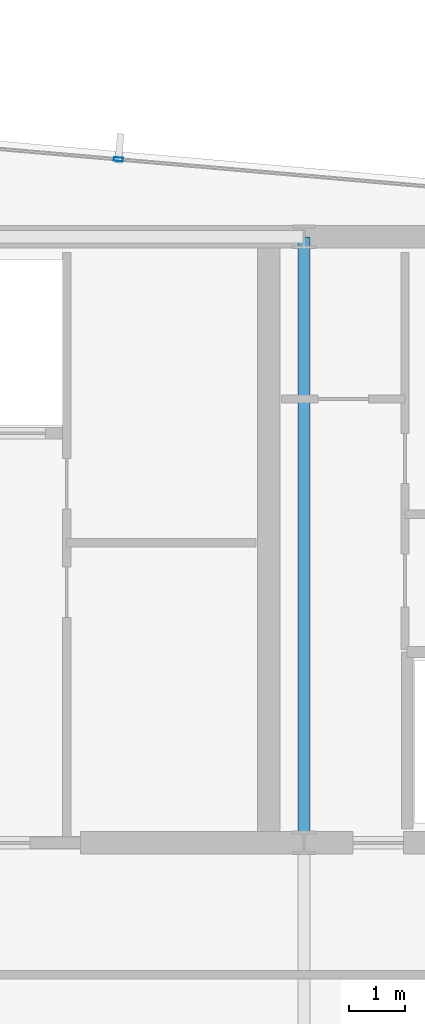
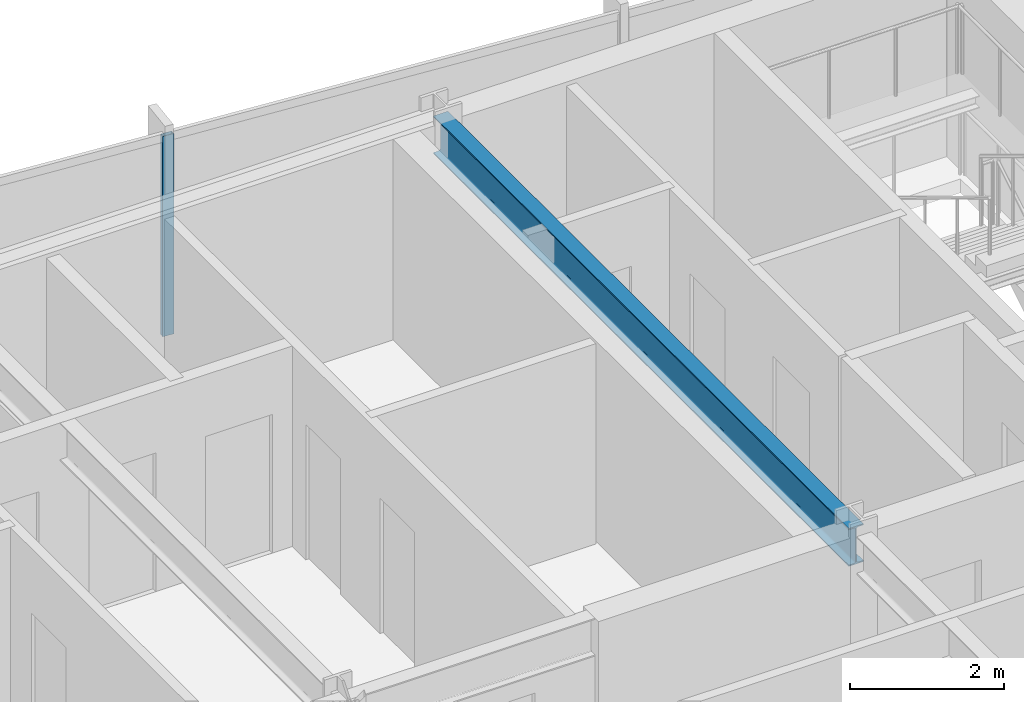
# One storey, part 19 of 32: 1 beam, 1 member, 1 element without a shape of its own.
"""IFC4 building model written with IfcOpenShell, lengths in metres."""

from ifc_helpers import new_model, si_unit, direction, frame, origin, origin_2d, place, context, subcontext, project, spatial, hollow_rectangle, i_section, extrude, material, material_profile, profile_set, type_object, element, aggregate, save


model = new_model("IFC4")

# Units and contexts
model_context = context("Model", 3, precision=1e-05, world=origin(), true_north=direction((0.0, 1.0)))
body_context = subcontext(model_context, "Body", "Model", "MODEL_VIEW")
ifc_project = project(units=[si_unit("LENGTHUNIT", "METRE"), si_unit("AREAUNIT", "SQUARE_METRE"), si_unit("VOLUMEUNIT", "CUBIC_METRE"), si_unit("PLANEANGLEUNIT", "RADIAN"), si_unit("MASSUNIT", "GRAM", prefix="KILO")], contexts=[model_context])

# Site, building, storey
site_placement = place(None, origin())
site = spatial("IfcSite", under=ifc_project, at=site_placement, CompositionType="ELEMENT")
building_placement = place(site_placement, origin())
building = spatial("IfcBuilding", under=site, at=building_placement, Name="Yelkora Congress Tower", CompositionType="ELEMENT")
storey_placement = place(building_placement, frame((0.0, 0.0, 262.5)))
storey = spatial("IfcBuildingStorey", under=building, at=storey_placement, Name="L73", CompositionType="ELEMENT", Elevation=262.5)

# Beam
ifc_material_1 = material(Name="Steel S355J2", Category="steel")
ifc_material_profile_1 = material_profile(ifc_material_1, i_section(OverallWidth=0.219970703125, OverallDepth=0.60009765625, WebThickness=0.011962890625, FlangeThickness=0.01904296875, FilletRadius=0.02392578125, at=origin_2d()), Name="IPE 600")
ifc_profile_set_1 = profile_set([ifc_material_profile_1], Name="Steel S355J2")
beam_type = type_object("IfcBeamType", Name="BM-GIRD-IPE600", PredefinedType="BEAM", material=ifc_profile_set_1)
beam_placement = place(storey_placement, frame((46.080078125, 35.39990234375, 2.8798828125), z_axis=(0.0, 1.0, 0.0), x_axis=(-1.0, 0.0, 0.0)))
element("IfcBeam", 1, at=beam_placement, inside=storey, type_object=beam_type, Name="L73 Core Tie Girder MC-S4", PredefinedType="BEAM", context=body_context, shape_type="SweptSolid", body=[
    extrude(i_section(OverallWidth=0.219970703125, OverallDepth=0.60009765625, WebThickness=0.011962890625, FlangeThickness=0.01904296875, FilletRadius=0.02392578125, at=origin_2d()), origin(), (0.0, 0.0, 1.0), 10.800048828125),
])

# Curtain wall, member
ifc_material_2 = material(Name="Anodised aluminium and insulated glass", Category="aluminium")
curtain_wall_type = type_object("IfcCurtainWallType", Name="CW-SYS-B5", PredefinedType="NOTDEFINED", material=ifc_material_2)
curtain_wall_placement = place(storey_placement, origin())
curtain_wall = element("IfcCurtainWall", 2, at=curtain_wall_placement, inside=storey, type_object=curtain_wall_type, Name="L73 Unitised Curtain Wall 10", PredefinedType="NOTDEFINED")
ifc_material_3 = material(Name="Anodised aluminium 6063-T6", Category="aluminium")
ifc_material_profile_2 = material_profile(ifc_material_3, hollow_rectangle(XDim=0.06494140625, YDim=0.159912109375, WallThickness=0.00390625, at=origin_2d()), Name="ALU 65x160x4")
ifc_profile_set_2 = profile_set([ifc_material_profile_2], Name="Anodised aluminium 6063-T6")
member_type = type_object("IfcMemberType", Name="MEM-ML-B5", PredefinedType="MULLION", material=ifc_profile_set_2)
member_placement = place(storey_placement, frame((42.77294921875, 47.58154296875, 0.0), z_axis=(0.0, 0.0, 1.0), x_axis=(0.087156639893, 0.996194619601, 0.0)))
member = element("IfcMember", 3, at=member_placement, type_object=member_type, Name="CW-B5 mullion 6", PredefinedType="MULLION", context=body_context, shape_type="SweptSolid", body=[
    extrude(hollow_rectangle(XDim=0.06494140625, YDim=0.159912109375, WallThickness=0.00390625, at=origin_2d()), origin(), (0.0, 0.0, 1.0), 3.179931640625),
])
aggregate(curtain_wall, [member])

save(model, "model.ifc")
